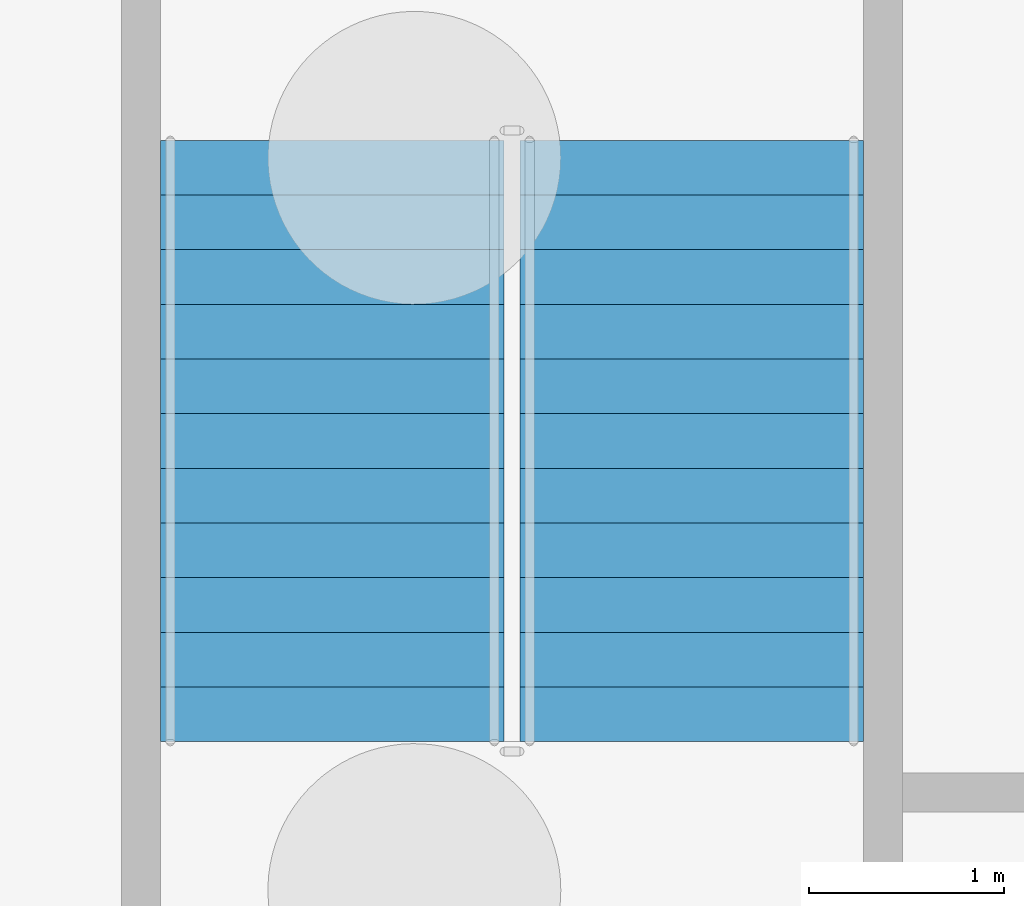
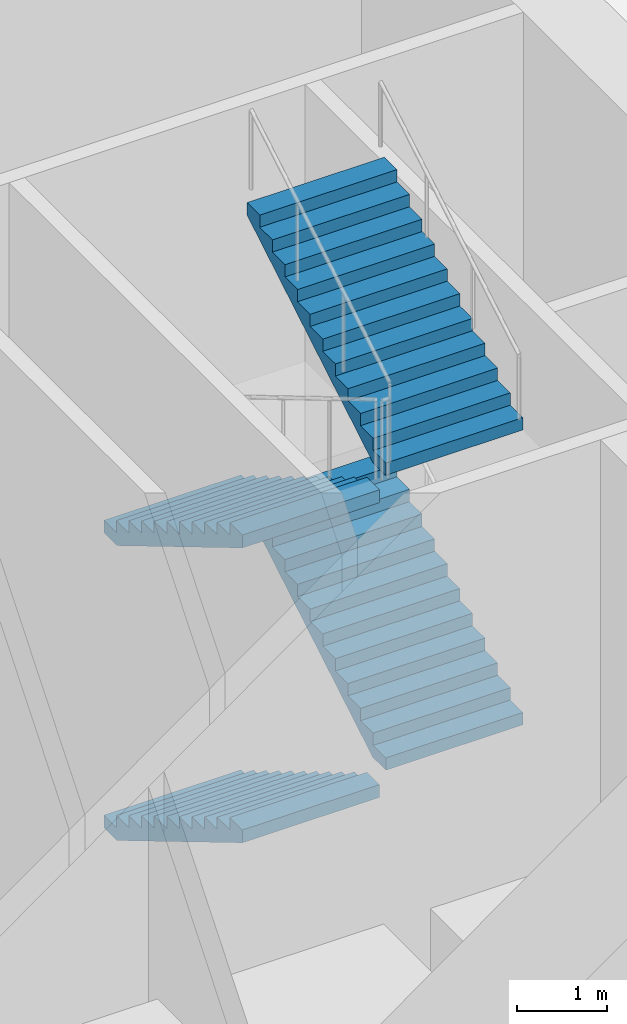
# One storey, part 22 of 34: 4 stair flights, 1 element without a shape of its own.
"""IFC4 building model written with IfcOpenShell, lengths in metres."""

from ifc_helpers import new_model, si_unit, direction, frame, origin, place, context, subcontext, project, spatial, faceted_brep, material, type_object, element, aggregate, save


model = new_model("IFC4")

# Units and contexts
model_context = context("Model", 3, precision=1e-05, world=origin(), true_north=direction((0.0, 1.0)))
body_context = subcontext(model_context, "Body", "Model", "MODEL_VIEW")
ifc_project = project(units=[si_unit("LENGTHUNIT", "METRE"), si_unit("AREAUNIT", "SQUARE_METRE"), si_unit("VOLUMEUNIT", "CUBIC_METRE"), si_unit("PLANEANGLEUNIT", "RADIAN"), si_unit("MASSUNIT", "GRAM", prefix="KILO")], contexts=[model_context])

# Site, building, storey
site_placement = place(None, origin())
site = spatial("IfcSite", under=ifc_project, at=site_placement, CompositionType="ELEMENT")
building_placement = place(site_placement, origin())
building = spatial("IfcBuilding", under=site, at=building_placement, Name="Tarsis Ring Headquarters", CompositionType="ELEMENT")
storey_placement = place(building_placement, origin())
storey = spatial("IfcBuildingStorey", under=building, at=storey_placement, Name="L00", CompositionType="ELEMENT", Elevation=0.0)

# Stair, stair flights
ifc_material_1 = material(Name="Core stair 1760")
stair_type = type_object("IfcStairType", Name="Core stair 1760", PredefinedType="HALF_TURN_STAIR", material=ifc_material_1)
stair_placement = place(storey_placement, origin())
stair = element("IfcStair", 1, at=stair_placement, inside=storey, type_object=stair_type, Name="L00 Exit stair D", PredefinedType="HALF_TURN_STAIR")
ifc_material_2 = material(Name="Concrete C40/50", Category="concrete")
stair_flight_type = type_object("IfcStairFlightType", Name="Core stair flight 1760", PredefinedType="STRAIGHT", material=ifc_material_2)
stair_flight_1_placement = place(storey_placement, frame((3.580078125, -3.659912109375, 0.0), z_axis=(0.0, 0.0, 1.0), x_axis=(0.0, -1.0, 0.0)))
stair_flight_1 = element("IfcStairFlight", 2, at=stair_flight_1_placement, type_object=stair_flight_type, Name="Stair ST4 flight 1", NumberOfRisers=12, NumberOfTreads=11, PredefinedType="STRAIGHT", RiserHeight=0.166666667, TreadLength=0.28, context=body_context, shape_type="Brep", body=[
    faceted_brep([(0.0, 0.8798828125, 0.0), (0.0, 0.8798828125, 0.166748046875), (0.280029296875, 0.8798828125, 0.166748046875), (0.280029296875, 0.8798828125, 0.333251953125), (0.56005859375, 0.8798828125, 0.333251953125), (0.56005859375, 0.8798828125, 0.5), (0.840087890625, 0.8798828125, 0.5), (0.840087890625, 0.8798828125, 0.666748046875), (1.1201171875, 0.8798828125, 0.666748046875), (1.1201171875, 0.8798828125, 0.833251953125), (1.39990234375, 0.8798828125, 0.833251953125), (1.39990234375, 0.8798828125, 1.0), (1.679931640625, 0.8798828125, 1.0), (1.679931640625, 0.8798828125, 1.166748046875), (1.9599609375, 0.8798828125, 1.166748046875), (1.9599609375, 0.8798828125, 1.333251953125), (2.239990234375, 0.8798828125, 1.333251953125), (2.239990234375, 0.8798828125, 1.5), (2.52001953125, 0.8798828125, 1.5), (2.52001953125, 0.8798828125, 1.666748046875), (2.800048828125, 0.8798828125, 1.666748046875), (2.800048828125, 0.8798828125, 1.833251953125), (3.080078125, 0.8798828125, 1.833251953125), (3.080078125, 0.8798828125, 1.658935546875), (0.29296875, 0.8798828125, 0.0), (0.29296875, -0.8798828125, 0.0), (3.080078125, -0.8798828125, 1.658935546875), (3.080078125, -0.8798828125, 1.833251953125), (2.800048828125, -0.8798828125, 1.833251953125), (2.800048828125, -0.8798828125, 1.666748046875), (2.52001953125, -0.8798828125, 1.666748046875), (2.52001953125, -0.8798828125, 1.5), (2.239990234375, -0.8798828125, 1.5), (2.239990234375, -0.8798828125, 1.333251953125), (1.9599609375, -0.8798828125, 1.333251953125), (1.9599609375, -0.8798828125, 1.166748046875), (1.679931640625, -0.8798828125, 1.166748046875), (1.679931640625, -0.8798828125, 1.0), (1.39990234375, -0.8798828125, 1.0), (1.39990234375, -0.8798828125, 0.833251953125), (1.1201171875, -0.8798828125, 0.833251953125), (1.1201171875, -0.8798828125, 0.666748046875), (0.840087890625, -0.8798828125, 0.666748046875), (0.840087890625, -0.8798828125, 0.5), (0.56005859375, -0.8798828125, 0.5), (0.56005859375, -0.8798828125, 0.333251953125), (0.280029296875, -0.8798828125, 0.333251953125), (0.280029296875, -0.8798828125, 0.166748046875), (0.0, -0.8798828125, 0.166748046875), (0.0, -0.8798828125, 0.0), (0.0, -0.43994140625, 0.166748046875), (0.0, -0.43994140625, 0.0), (0.0, 0.0, 0.166748046875), (0.0, 0.0, 0.0), (0.0, 0.43994140625, 0.166748046875), (0.0, 0.43994140625, 0.0), (0.280029296875, -0.43994140625, 0.166748046875), (0.280029296875, 0.0, 0.166748046875), (0.280029296875, 0.43994140625, 0.166748046875), (0.280029296875, -0.43994140625, 0.333251953125), (0.280029296875, 0.0, 0.333251953125), (0.280029296875, 0.43994140625, 0.333251953125), (0.56005859375, -0.43994140625, 0.333251953125), (0.56005859375, 0.0, 0.333251953125), (0.56005859375, 0.43994140625, 0.333251953125), (0.56005859375, -0.43994140625, 0.5), (0.56005859375, 0.0, 0.5), (0.56005859375, 0.43994140625, 0.5), (0.840087890625, -0.43994140625, 0.5), (0.840087890625, 0.0, 0.5), (0.840087890625, 0.43994140625, 0.5), (0.840087890625, -0.43994140625, 0.666748046875), (0.840087890625, 0.0, 0.666748046875), (0.840087890625, 0.43994140625, 0.666748046875), (1.1201171875, -0.43994140625, 0.666748046875), (1.1201171875, 0.0, 0.666748046875), (1.1201171875, 0.43994140625, 0.666748046875), (1.1201171875, -0.43994140625, 0.833251953125), (1.1201171875, 0.0, 0.833251953125), (1.1201171875, 0.43994140625, 0.833251953125), (1.39990234375, -0.43994140625, 0.833251953125), (1.39990234375, 0.0, 0.833251953125), (1.39990234375, 0.43994140625, 0.833251953125), (1.39990234375, -0.43994140625, 1.0), (1.39990234375, 0.0, 1.0), (1.39990234375, 0.43994140625, 1.0), (1.679931640625, -0.43994140625, 1.0), (1.679931640625, 0.0, 1.0), (1.679931640625, 0.43994140625, 1.0), (1.679931640625, -0.43994140625, 1.166748046875), (1.679931640625, 0.0, 1.166748046875), (1.679931640625, 0.43994140625, 1.166748046875), (1.9599609375, -0.43994140625, 1.166748046875), (1.9599609375, 0.0, 1.166748046875), (1.9599609375, 0.43994140625, 1.166748046875), (1.9599609375, -0.43994140625, 1.333251953125), (1.9599609375, 0.0, 1.333251953125), (1.9599609375, 0.43994140625, 1.333251953125), (2.239990234375, -0.43994140625, 1.333251953125), (2.239990234375, 0.0, 1.333251953125), (2.239990234375, 0.43994140625, 1.333251953125), (2.239990234375, -0.43994140625, 1.5), (2.239990234375, 0.0, 1.5), (2.239990234375, 0.43994140625, 1.5), (2.52001953125, -0.43994140625, 1.5), (2.52001953125, 0.0, 1.5), (2.52001953125, 0.43994140625, 1.5), (2.52001953125, -0.43994140625, 1.666748046875), (2.52001953125, 0.0, 1.666748046875), (2.52001953125, 0.43994140625, 1.666748046875), (2.800048828125, -0.43994140625, 1.666748046875), (2.800048828125, 0.0, 1.666748046875), (2.800048828125, 0.43994140625, 1.666748046875), (2.800048828125, -0.43994140625, 1.833251953125), (2.800048828125, 0.0, 1.833251953125), (2.800048828125, 0.43994140625, 1.833251953125), (3.080078125, -0.43994140625, 1.833251953125), (3.080078125, 0.0, 1.833251953125), (3.080078125, 0.43994140625, 1.833251953125), (3.080078125, -0.43994140625, 1.658935546875), (3.080078125, 0.0, 1.658935546875), (3.080078125, 0.43994140625, 1.658935546875), (0.29296875, -0.43994140625, 0.0), (0.29296875, 0.0, 0.0), (0.29296875, 0.43994140625, 0.0)], [[[0, 1, 2, 3, 4, 5, 6, 7, 8, 9, 10, 11, 12, 13, 14, 15, 16, 17, 18, 19, 20, 21, 22, 23, 24]], [[25, 26, 27, 28, 29, 30, 31, 32, 33, 34, 35, 36, 37, 38, 39, 40, 41, 42, 43, 44, 45, 46, 47, 48, 49]], [[49, 48, 50, 51]], [[51, 50, 52, 53]], [[53, 52, 54, 55]], [[55, 54, 1, 0]], [[48, 47, 56, 50]], [[50, 56, 57, 52]], [[52, 57, 58, 54]], [[54, 58, 2, 1]], [[47, 46, 59, 56]], [[56, 59, 60, 57]], [[57, 60, 61, 58]], [[58, 61, 3, 2]], [[46, 45, 62, 59]], [[59, 62, 63, 60]], [[60, 63, 64, 61]], [[61, 64, 4, 3]], [[45, 44, 65, 62]], [[62, 65, 66, 63]], [[63, 66, 67, 64]], [[64, 67, 5, 4]], [[44, 43, 68, 65]], [[65, 68, 69, 66]], [[66, 69, 70, 67]], [[67, 70, 6, 5]], [[43, 42, 71, 68]], [[68, 71, 72, 69]], [[69, 72, 73, 70]], [[70, 73, 7, 6]], [[42, 41, 74, 71]], [[71, 74, 75, 72]], [[72, 75, 76, 73]], [[73, 76, 8, 7]], [[41, 40, 77, 74]], [[74, 77, 78, 75]], [[75, 78, 79, 76]], [[76, 79, 9, 8]], [[40, 39, 80, 77]], [[77, 80, 81, 78]], [[78, 81, 82, 79]], [[79, 82, 10, 9]], [[39, 38, 83, 80]], [[80, 83, 84, 81]], [[81, 84, 85, 82]], [[82, 85, 11, 10]], [[38, 37, 86, 83]], [[83, 86, 87, 84]], [[84, 87, 88, 85]], [[85, 88, 12, 11]], [[37, 36, 89, 86]], [[86, 89, 90, 87]], [[87, 90, 91, 88]], [[88, 91, 13, 12]], [[36, 35, 92, 89]], [[89, 92, 93, 90]], [[90, 93, 94, 91]], [[91, 94, 14, 13]], [[35, 34, 95, 92]], [[92, 95, 96, 93]], [[93, 96, 97, 94]], [[94, 97, 15, 14]], [[34, 33, 98, 95]], [[95, 98, 99, 96]], [[96, 99, 100, 97]], [[97, 100, 16, 15]], [[33, 32, 101, 98]], [[98, 101, 102, 99]], [[99, 102, 103, 100]], [[100, 103, 17, 16]], [[32, 31, 104, 101]], [[101, 104, 105, 102]], [[102, 105, 106, 103]], [[103, 106, 18, 17]], [[31, 30, 107, 104]], [[104, 107, 108, 105]], [[105, 108, 109, 106]], [[106, 109, 19, 18]], [[30, 29, 110, 107]], [[107, 110, 111, 108]], [[108, 111, 112, 109]], [[109, 112, 20, 19]], [[29, 28, 113, 110]], [[110, 113, 114, 111]], [[111, 114, 115, 112]], [[112, 115, 21, 20]], [[28, 27, 116, 113]], [[113, 116, 117, 114]], [[114, 117, 118, 115]], [[115, 118, 22, 21]], [[27, 26, 119, 116]], [[116, 119, 120, 117]], [[117, 120, 121, 118]], [[118, 121, 23, 22]], [[26, 25, 122, 119]], [[119, 122, 123, 120]], [[120, 123, 124, 121]], [[121, 124, 24, 23]], [[25, 49, 51, 122]], [[122, 51, 53, 123]], [[123, 53, 55, 124]], [[124, 55, 0, 24]]]),
])
stair_flight_2_placement = place(storey_placement, frame((5.419921875, -6.739990234375, 2.0), z_axis=(0.0, 0.0, 1.0), x_axis=(0.0, 1.0, 0.0)))
stair_flight_2 = element("IfcStairFlight", 3, at=stair_flight_2_placement, type_object=stair_flight_type, Name="Stair ST4 flight 2", NumberOfRisers=12, NumberOfTreads=11, PredefinedType="STRAIGHT", RiserHeight=0.166666667, TreadLength=0.28, context=body_context, shape_type="Brep", body=[
    faceted_brep([(0.0, 0.8798828125, 0.0), (0.0, 0.8798828125, 0.166748046875), (0.280029296875, 0.8798828125, 0.166748046875), (0.280029296875, 0.8798828125, 0.333251953125), (0.56005859375, 0.8798828125, 0.333251953125), (0.56005859375, 0.8798828125, 0.5), (0.840087890625, 0.8798828125, 0.5), (0.840087890625, 0.8798828125, 0.666748046875), (1.1201171875, 0.8798828125, 0.666748046875), (1.1201171875, 0.8798828125, 0.833251953125), (1.39990234375, 0.8798828125, 0.833251953125), (1.39990234375, 0.8798828125, 1.0), (1.679931640625, 0.8798828125, 1.0), (1.679931640625, 0.8798828125, 1.166748046875), (1.9599609375, 0.8798828125, 1.166748046875), (1.9599609375, 0.8798828125, 1.333251953125), (2.239990234375, 0.8798828125, 1.333251953125), (2.239990234375, 0.8798828125, 1.5), (2.52001953125, 0.8798828125, 1.5), (2.52001953125, 0.8798828125, 1.666748046875), (2.800048828125, 0.8798828125, 1.666748046875), (2.800048828125, 0.8798828125, 1.833251953125), (3.080078125, 0.8798828125, 1.833251953125), (3.080078125, 0.8798828125, 1.658935546875), (0.29296875, 0.8798828125, 0.0), (0.29296875, -0.8798828125, 0.0), (3.080078125, -0.8798828125, 1.658935546875), (3.080078125, -0.8798828125, 1.833251953125), (2.800048828125, -0.8798828125, 1.833251953125), (2.800048828125, -0.8798828125, 1.666748046875), (2.52001953125, -0.8798828125, 1.666748046875), (2.52001953125, -0.8798828125, 1.5), (2.239990234375, -0.8798828125, 1.5), (2.239990234375, -0.8798828125, 1.333251953125), (1.9599609375, -0.8798828125, 1.333251953125), (1.9599609375, -0.8798828125, 1.166748046875), (1.679931640625, -0.8798828125, 1.166748046875), (1.679931640625, -0.8798828125, 1.0), (1.39990234375, -0.8798828125, 1.0), (1.39990234375, -0.8798828125, 0.833251953125), (1.1201171875, -0.8798828125, 0.833251953125), (1.1201171875, -0.8798828125, 0.666748046875), (0.840087890625, -0.8798828125, 0.666748046875), (0.840087890625, -0.8798828125, 0.5), (0.56005859375, -0.8798828125, 0.5), (0.56005859375, -0.8798828125, 0.333251953125), (0.280029296875, -0.8798828125, 0.333251953125), (0.280029296875, -0.8798828125, 0.166748046875), (0.0, -0.8798828125, 0.166748046875), (0.0, -0.8798828125, 0.0), (0.0, -0.43994140625, 0.166748046875), (0.0, -0.43994140625, 0.0), (0.0, 0.0, 0.166748046875), (0.0, 0.0, 0.0), (0.0, 0.43994140625, 0.166748046875), (0.0, 0.43994140625, 0.0), (0.280029296875, -0.43994140625, 0.166748046875), (0.280029296875, 0.0, 0.166748046875), (0.280029296875, 0.43994140625, 0.166748046875), (0.280029296875, -0.43994140625, 0.333251953125), (0.280029296875, 0.0, 0.333251953125), (0.280029296875, 0.43994140625, 0.333251953125), (0.56005859375, -0.43994140625, 0.333251953125), (0.56005859375, 0.0, 0.333251953125), (0.56005859375, 0.43994140625, 0.333251953125), (0.56005859375, -0.43994140625, 0.5), (0.56005859375, 0.0, 0.5), (0.56005859375, 0.43994140625, 0.5), (0.840087890625, -0.43994140625, 0.5), (0.840087890625, 0.0, 0.5), (0.840087890625, 0.43994140625, 0.5), (0.840087890625, -0.43994140625, 0.666748046875), (0.840087890625, 0.0, 0.666748046875), (0.840087890625, 0.43994140625, 0.666748046875), (1.1201171875, -0.43994140625, 0.666748046875), (1.1201171875, 0.0, 0.666748046875), (1.1201171875, 0.43994140625, 0.666748046875), (1.1201171875, -0.43994140625, 0.833251953125), (1.1201171875, 0.0, 0.833251953125), (1.1201171875, 0.43994140625, 0.833251953125), (1.39990234375, -0.43994140625, 0.833251953125), (1.39990234375, 0.0, 0.833251953125), (1.39990234375, 0.43994140625, 0.833251953125), (1.39990234375, -0.43994140625, 1.0), (1.39990234375, 0.0, 1.0), (1.39990234375, 0.43994140625, 1.0), (1.679931640625, -0.43994140625, 1.0), (1.679931640625, 0.0, 1.0), (1.679931640625, 0.43994140625, 1.0), (1.679931640625, -0.43994140625, 1.166748046875), (1.679931640625, 0.0, 1.166748046875), (1.679931640625, 0.43994140625, 1.166748046875), (1.9599609375, -0.43994140625, 1.166748046875), (1.9599609375, 0.0, 1.166748046875), (1.9599609375, 0.43994140625, 1.166748046875), (1.9599609375, -0.43994140625, 1.333251953125), (1.9599609375, 0.0, 1.333251953125), (1.9599609375, 0.43994140625, 1.333251953125), (2.239990234375, -0.43994140625, 1.333251953125), (2.239990234375, 0.0, 1.333251953125), (2.239990234375, 0.43994140625, 1.333251953125), (2.239990234375, -0.43994140625, 1.5), (2.239990234375, 0.0, 1.5), (2.239990234375, 0.43994140625, 1.5), (2.52001953125, -0.43994140625, 1.5), (2.52001953125, 0.0, 1.5), (2.52001953125, 0.43994140625, 1.5), (2.52001953125, -0.43994140625, 1.666748046875), (2.52001953125, 0.0, 1.666748046875), (2.52001953125, 0.43994140625, 1.666748046875), (2.800048828125, -0.43994140625, 1.666748046875), (2.800048828125, 0.0, 1.666748046875), (2.800048828125, 0.43994140625, 1.666748046875), (2.800048828125, -0.43994140625, 1.833251953125), (2.800048828125, 0.0, 1.833251953125), (2.800048828125, 0.43994140625, 1.833251953125), (3.080078125, -0.43994140625, 1.833251953125), (3.080078125, 0.0, 1.833251953125), (3.080078125, 0.43994140625, 1.833251953125), (3.080078125, -0.43994140625, 1.658935546875), (3.080078125, 0.0, 1.658935546875), (3.080078125, 0.43994140625, 1.658935546875), (0.29296875, -0.43994140625, 0.0), (0.29296875, 0.0, 0.0), (0.29296875, 0.43994140625, 0.0)], [[[0, 1, 2, 3, 4, 5, 6, 7, 8, 9, 10, 11, 12, 13, 14, 15, 16, 17, 18, 19, 20, 21, 22, 23, 24]], [[25, 26, 27, 28, 29, 30, 31, 32, 33, 34, 35, 36, 37, 38, 39, 40, 41, 42, 43, 44, 45, 46, 47, 48, 49]], [[49, 48, 50, 51]], [[51, 50, 52, 53]], [[53, 52, 54, 55]], [[55, 54, 1, 0]], [[48, 47, 56, 50]], [[50, 56, 57, 52]], [[52, 57, 58, 54]], [[54, 58, 2, 1]], [[47, 46, 59, 56]], [[56, 59, 60, 57]], [[57, 60, 61, 58]], [[58, 61, 3, 2]], [[46, 45, 62, 59]], [[59, 62, 63, 60]], [[60, 63, 64, 61]], [[61, 64, 4, 3]], [[45, 44, 65, 62]], [[62, 65, 66, 63]], [[63, 66, 67, 64]], [[64, 67, 5, 4]], [[44, 43, 68, 65]], [[65, 68, 69, 66]], [[66, 69, 70, 67]], [[67, 70, 6, 5]], [[43, 42, 71, 68]], [[68, 71, 72, 69]], [[69, 72, 73, 70]], [[70, 73, 7, 6]], [[42, 41, 74, 71]], [[71, 74, 75, 72]], [[72, 75, 76, 73]], [[73, 76, 8, 7]], [[41, 40, 77, 74]], [[74, 77, 78, 75]], [[75, 78, 79, 76]], [[76, 79, 9, 8]], [[40, 39, 80, 77]], [[77, 80, 81, 78]], [[78, 81, 82, 79]], [[79, 82, 10, 9]], [[39, 38, 83, 80]], [[80, 83, 84, 81]], [[81, 84, 85, 82]], [[82, 85, 11, 10]], [[38, 37, 86, 83]], [[83, 86, 87, 84]], [[84, 87, 88, 85]], [[85, 88, 12, 11]], [[37, 36, 89, 86]], [[86, 89, 90, 87]], [[87, 90, 91, 88]], [[88, 91, 13, 12]], [[36, 35, 92, 89]], [[89, 92, 93, 90]], [[90, 93, 94, 91]], [[91, 94, 14, 13]], [[35, 34, 95, 92]], [[92, 95, 96, 93]], [[93, 96, 97, 94]], [[94, 97, 15, 14]], [[34, 33, 98, 95]], [[95, 98, 99, 96]], [[96, 99, 100, 97]], [[97, 100, 16, 15]], [[33, 32, 101, 98]], [[98, 101, 102, 99]], [[99, 102, 103, 100]], [[100, 103, 17, 16]], [[32, 31, 104, 101]], [[101, 104, 105, 102]], [[102, 105, 106, 103]], [[103, 106, 18, 17]], [[31, 30, 107, 104]], [[104, 107, 108, 105]], [[105, 108, 109, 106]], [[106, 109, 19, 18]], [[30, 29, 110, 107]], [[107, 110, 111, 108]], [[108, 111, 112, 109]], [[109, 112, 20, 19]], [[29, 28, 113, 110]], [[110, 113, 114, 111]], [[111, 114, 115, 112]], [[112, 115, 21, 20]], [[28, 27, 116, 113]], [[113, 116, 117, 114]], [[114, 117, 118, 115]], [[115, 118, 22, 21]], [[27, 26, 119, 116]], [[116, 119, 120, 117]], [[117, 120, 121, 118]], [[118, 121, 23, 22]], [[26, 25, 122, 119]], [[119, 122, 123, 120]], [[120, 123, 124, 121]], [[121, 124, 24, 23]], [[25, 49, 51, 122]], [[122, 51, 53, 123]], [[123, 53, 55, 124]], [[124, 55, 0, 24]]]),
])
stair_flight_3_placement = place(storey_placement, frame((3.580078125, -3.659912109375, 4.0), z_axis=(0.0, 0.0, 1.0), x_axis=(0.0, -1.0, 0.0)))
stair_flight_3 = element("IfcStairFlight", 4, at=stair_flight_3_placement, type_object=stair_flight_type, Name="Stair ST4 flight 3", NumberOfRisers=12, NumberOfTreads=11, PredefinedType="STRAIGHT", RiserHeight=0.166666667, TreadLength=0.28, context=body_context, shape_type="Brep", body=[
    faceted_brep([(0.0, 0.8798828125, 0.0), (0.0, 0.8798828125, 0.166748046875), (0.280029296875, 0.8798828125, 0.166748046875), (0.280029296875, 0.8798828125, 0.333251953125), (0.56005859375, 0.8798828125, 0.333251953125), (0.56005859375, 0.8798828125, 0.5), (0.840087890625, 0.8798828125, 0.5), (0.840087890625, 0.8798828125, 0.666748046875), (1.1201171875, 0.8798828125, 0.666748046875), (1.1201171875, 0.8798828125, 0.833251953125), (1.39990234375, 0.8798828125, 0.833251953125), (1.39990234375, 0.8798828125, 1.0), (1.679931640625, 0.8798828125, 1.0), (1.679931640625, 0.8798828125, 1.166748046875), (1.9599609375, 0.8798828125, 1.166748046875), (1.9599609375, 0.8798828125, 1.333251953125), (2.239990234375, 0.8798828125, 1.333251953125), (2.239990234375, 0.8798828125, 1.5), (2.52001953125, 0.8798828125, 1.5), (2.52001953125, 0.8798828125, 1.666748046875), (2.800048828125, 0.8798828125, 1.666748046875), (2.800048828125, 0.8798828125, 1.833251953125), (3.080078125, 0.8798828125, 1.833251953125), (3.080078125, 0.8798828125, 1.658935546875), (0.29296875, 0.8798828125, 0.0), (0.29296875, -0.8798828125, 0.0), (3.080078125, -0.8798828125, 1.658935546875), (3.080078125, -0.8798828125, 1.833251953125), (2.800048828125, -0.8798828125, 1.833251953125), (2.800048828125, -0.8798828125, 1.666748046875), (2.52001953125, -0.8798828125, 1.666748046875), (2.52001953125, -0.8798828125, 1.5), (2.239990234375, -0.8798828125, 1.5), (2.239990234375, -0.8798828125, 1.333251953125), (1.9599609375, -0.8798828125, 1.333251953125), (1.9599609375, -0.8798828125, 1.166748046875), (1.679931640625, -0.8798828125, 1.166748046875), (1.679931640625, -0.8798828125, 1.0), (1.39990234375, -0.8798828125, 1.0), (1.39990234375, -0.8798828125, 0.833251953125), (1.1201171875, -0.8798828125, 0.833251953125), (1.1201171875, -0.8798828125, 0.666748046875), (0.840087890625, -0.8798828125, 0.666748046875), (0.840087890625, -0.8798828125, 0.5), (0.56005859375, -0.8798828125, 0.5), (0.56005859375, -0.8798828125, 0.333251953125), (0.280029296875, -0.8798828125, 0.333251953125), (0.280029296875, -0.8798828125, 0.166748046875), (0.0, -0.8798828125, 0.166748046875), (0.0, -0.8798828125, 0.0), (0.0, -0.43994140625, 0.166748046875), (0.0, -0.43994140625, 0.0), (0.0, 0.0, 0.166748046875), (0.0, 0.0, 0.0), (0.0, 0.43994140625, 0.166748046875), (0.0, 0.43994140625, 0.0), (0.280029296875, -0.43994140625, 0.166748046875), (0.280029296875, 0.0, 0.166748046875), (0.280029296875, 0.43994140625, 0.166748046875), (0.280029296875, -0.43994140625, 0.333251953125), (0.280029296875, 0.0, 0.333251953125), (0.280029296875, 0.43994140625, 0.333251953125), (0.56005859375, -0.43994140625, 0.333251953125), (0.56005859375, 0.0, 0.333251953125), (0.56005859375, 0.43994140625, 0.333251953125), (0.56005859375, -0.43994140625, 0.5), (0.56005859375, 0.0, 0.5), (0.56005859375, 0.43994140625, 0.5), (0.840087890625, -0.43994140625, 0.5), (0.840087890625, 0.0, 0.5), (0.840087890625, 0.43994140625, 0.5), (0.840087890625, -0.43994140625, 0.666748046875), (0.840087890625, 0.0, 0.666748046875), (0.840087890625, 0.43994140625, 0.666748046875), (1.1201171875, -0.43994140625, 0.666748046875), (1.1201171875, 0.0, 0.666748046875), (1.1201171875, 0.43994140625, 0.666748046875), (1.1201171875, -0.43994140625, 0.833251953125), (1.1201171875, 0.0, 0.833251953125), (1.1201171875, 0.43994140625, 0.833251953125), (1.39990234375, -0.43994140625, 0.833251953125), (1.39990234375, 0.0, 0.833251953125), (1.39990234375, 0.43994140625, 0.833251953125), (1.39990234375, -0.43994140625, 1.0), (1.39990234375, 0.0, 1.0), (1.39990234375, 0.43994140625, 1.0), (1.679931640625, -0.43994140625, 1.0), (1.679931640625, 0.0, 1.0), (1.679931640625, 0.43994140625, 1.0), (1.679931640625, -0.43994140625, 1.166748046875), (1.679931640625, 0.0, 1.166748046875), (1.679931640625, 0.43994140625, 1.166748046875), (1.9599609375, -0.43994140625, 1.166748046875), (1.9599609375, 0.0, 1.166748046875), (1.9599609375, 0.43994140625, 1.166748046875), (1.9599609375, -0.43994140625, 1.333251953125), (1.9599609375, 0.0, 1.333251953125), (1.9599609375, 0.43994140625, 1.333251953125), (2.239990234375, -0.43994140625, 1.333251953125), (2.239990234375, 0.0, 1.333251953125), (2.239990234375, 0.43994140625, 1.333251953125), (2.239990234375, -0.43994140625, 1.5), (2.239990234375, 0.0, 1.5), (2.239990234375, 0.43994140625, 1.5), (2.52001953125, -0.43994140625, 1.5), (2.52001953125, 0.0, 1.5), (2.52001953125, 0.43994140625, 1.5), (2.52001953125, -0.43994140625, 1.666748046875), (2.52001953125, 0.0, 1.666748046875), (2.52001953125, 0.43994140625, 1.666748046875), (2.800048828125, -0.43994140625, 1.666748046875), (2.800048828125, 0.0, 1.666748046875), (2.800048828125, 0.43994140625, 1.666748046875), (2.800048828125, -0.43994140625, 1.833251953125), (2.800048828125, 0.0, 1.833251953125), (2.800048828125, 0.43994140625, 1.833251953125), (3.080078125, -0.43994140625, 1.833251953125), (3.080078125, 0.0, 1.833251953125), (3.080078125, 0.43994140625, 1.833251953125), (3.080078125, -0.43994140625, 1.658935546875), (3.080078125, 0.0, 1.658935546875), (3.080078125, 0.43994140625, 1.658935546875), (0.29296875, -0.43994140625, 0.0), (0.29296875, 0.0, 0.0), (0.29296875, 0.43994140625, 0.0)], [[[0, 1, 2, 3, 4, 5, 6, 7, 8, 9, 10, 11, 12, 13, 14, 15, 16, 17, 18, 19, 20, 21, 22, 23, 24]], [[25, 26, 27, 28, 29, 30, 31, 32, 33, 34, 35, 36, 37, 38, 39, 40, 41, 42, 43, 44, 45, 46, 47, 48, 49]], [[49, 48, 50, 51]], [[51, 50, 52, 53]], [[53, 52, 54, 55]], [[55, 54, 1, 0]], [[48, 47, 56, 50]], [[50, 56, 57, 52]], [[52, 57, 58, 54]], [[54, 58, 2, 1]], [[47, 46, 59, 56]], [[56, 59, 60, 57]], [[57, 60, 61, 58]], [[58, 61, 3, 2]], [[46, 45, 62, 59]], [[59, 62, 63, 60]], [[60, 63, 64, 61]], [[61, 64, 4, 3]], [[45, 44, 65, 62]], [[62, 65, 66, 63]], [[63, 66, 67, 64]], [[64, 67, 5, 4]], [[44, 43, 68, 65]], [[65, 68, 69, 66]], [[66, 69, 70, 67]], [[67, 70, 6, 5]], [[43, 42, 71, 68]], [[68, 71, 72, 69]], [[69, 72, 73, 70]], [[70, 73, 7, 6]], [[42, 41, 74, 71]], [[71, 74, 75, 72]], [[72, 75, 76, 73]], [[73, 76, 8, 7]], [[41, 40, 77, 74]], [[74, 77, 78, 75]], [[75, 78, 79, 76]], [[76, 79, 9, 8]], [[40, 39, 80, 77]], [[77, 80, 81, 78]], [[78, 81, 82, 79]], [[79, 82, 10, 9]], [[39, 38, 83, 80]], [[80, 83, 84, 81]], [[81, 84, 85, 82]], [[82, 85, 11, 10]], [[38, 37, 86, 83]], [[83, 86, 87, 84]], [[84, 87, 88, 85]], [[85, 88, 12, 11]], [[37, 36, 89, 86]], [[86, 89, 90, 87]], [[87, 90, 91, 88]], [[88, 91, 13, 12]], [[36, 35, 92, 89]], [[89, 92, 93, 90]], [[90, 93, 94, 91]], [[91, 94, 14, 13]], [[35, 34, 95, 92]], [[92, 95, 96, 93]], [[93, 96, 97, 94]], [[94, 97, 15, 14]], [[34, 33, 98, 95]], [[95, 98, 99, 96]], [[96, 99, 100, 97]], [[97, 100, 16, 15]], [[33, 32, 101, 98]], [[98, 101, 102, 99]], [[99, 102, 103, 100]], [[100, 103, 17, 16]], [[32, 31, 104, 101]], [[101, 104, 105, 102]], [[102, 105, 106, 103]], [[103, 106, 18, 17]], [[31, 30, 107, 104]], [[104, 107, 108, 105]], [[105, 108, 109, 106]], [[106, 109, 19, 18]], [[30, 29, 110, 107]], [[107, 110, 111, 108]], [[108, 111, 112, 109]], [[109, 112, 20, 19]], [[29, 28, 113, 110]], [[110, 113, 114, 111]], [[111, 114, 115, 112]], [[112, 115, 21, 20]], [[28, 27, 116, 113]], [[113, 116, 117, 114]], [[114, 117, 118, 115]], [[115, 118, 22, 21]], [[27, 26, 119, 116]], [[116, 119, 120, 117]], [[117, 120, 121, 118]], [[118, 121, 23, 22]], [[26, 25, 122, 119]], [[119, 122, 123, 120]], [[120, 123, 124, 121]], [[121, 124, 24, 23]], [[25, 49, 51, 122]], [[122, 51, 53, 123]], [[123, 53, 55, 124]], [[124, 55, 0, 24]]]),
])
stair_flight_4_placement = place(storey_placement, frame((5.419921875, -6.739990234375, 6.0), z_axis=(0.0, 0.0, 1.0), x_axis=(0.0, 1.0, 0.0)))
stair_flight_4 = element("IfcStairFlight", 5, at=stair_flight_4_placement, type_object=stair_flight_type, Name="Stair ST4 flight 4", NumberOfRisers=12, NumberOfTreads=11, PredefinedType="STRAIGHT", RiserHeight=0.166666667, TreadLength=0.28, context=body_context, shape_type="Brep", body=[
    faceted_brep([(0.0, 0.8798828125, 0.0), (0.0, 0.8798828125, 0.166748046875), (0.280029296875, 0.8798828125, 0.166748046875), (0.280029296875, 0.8798828125, 0.333251953125), (0.56005859375, 0.8798828125, 0.333251953125), (0.56005859375, 0.8798828125, 0.5), (0.840087890625, 0.8798828125, 0.5), (0.840087890625, 0.8798828125, 0.666748046875), (1.1201171875, 0.8798828125, 0.666748046875), (1.1201171875, 0.8798828125, 0.833251953125), (1.39990234375, 0.8798828125, 0.833251953125), (1.39990234375, 0.8798828125, 1.0), (1.679931640625, 0.8798828125, 1.0), (1.679931640625, 0.8798828125, 1.166748046875), (1.9599609375, 0.8798828125, 1.166748046875), (1.9599609375, 0.8798828125, 1.333251953125), (2.239990234375, 0.8798828125, 1.333251953125), (2.239990234375, 0.8798828125, 1.5), (2.52001953125, 0.8798828125, 1.5), (2.52001953125, 0.8798828125, 1.666748046875), (2.800048828125, 0.8798828125, 1.666748046875), (2.800048828125, 0.8798828125, 1.833251953125), (3.080078125, 0.8798828125, 1.833251953125), (3.080078125, 0.8798828125, 1.658935546875), (0.29296875, 0.8798828125, 0.0), (0.29296875, -0.8798828125, 0.0), (3.080078125, -0.8798828125, 1.658935546875), (3.080078125, -0.8798828125, 1.833251953125), (2.800048828125, -0.8798828125, 1.833251953125), (2.800048828125, -0.8798828125, 1.666748046875), (2.52001953125, -0.8798828125, 1.666748046875), (2.52001953125, -0.8798828125, 1.5), (2.239990234375, -0.8798828125, 1.5), (2.239990234375, -0.8798828125, 1.333251953125), (1.9599609375, -0.8798828125, 1.333251953125), (1.9599609375, -0.8798828125, 1.166748046875), (1.679931640625, -0.8798828125, 1.166748046875), (1.679931640625, -0.8798828125, 1.0), (1.39990234375, -0.8798828125, 1.0), (1.39990234375, -0.8798828125, 0.833251953125), (1.1201171875, -0.8798828125, 0.833251953125), (1.1201171875, -0.8798828125, 0.666748046875), (0.840087890625, -0.8798828125, 0.666748046875), (0.840087890625, -0.8798828125, 0.5), (0.56005859375, -0.8798828125, 0.5), (0.56005859375, -0.8798828125, 0.333251953125), (0.280029296875, -0.8798828125, 0.333251953125), (0.280029296875, -0.8798828125, 0.166748046875), (0.0, -0.8798828125, 0.166748046875), (0.0, -0.8798828125, 0.0), (0.0, -0.43994140625, 0.166748046875), (0.0, -0.43994140625, 0.0), (0.0, 0.0, 0.166748046875), (0.0, 0.0, 0.0), (0.0, 0.43994140625, 0.166748046875), (0.0, 0.43994140625, 0.0), (0.280029296875, -0.43994140625, 0.166748046875), (0.280029296875, 0.0, 0.166748046875), (0.280029296875, 0.43994140625, 0.166748046875), (0.280029296875, -0.43994140625, 0.333251953125), (0.280029296875, 0.0, 0.333251953125), (0.280029296875, 0.43994140625, 0.333251953125), (0.56005859375, -0.43994140625, 0.333251953125), (0.56005859375, 0.0, 0.333251953125), (0.56005859375, 0.43994140625, 0.333251953125), (0.56005859375, -0.43994140625, 0.5), (0.56005859375, 0.0, 0.5), (0.56005859375, 0.43994140625, 0.5), (0.840087890625, -0.43994140625, 0.5), (0.840087890625, 0.0, 0.5), (0.840087890625, 0.43994140625, 0.5), (0.840087890625, -0.43994140625, 0.666748046875), (0.840087890625, 0.0, 0.666748046875), (0.840087890625, 0.43994140625, 0.666748046875), (1.1201171875, -0.43994140625, 0.666748046875), (1.1201171875, 0.0, 0.666748046875), (1.1201171875, 0.43994140625, 0.666748046875), (1.1201171875, -0.43994140625, 0.833251953125), (1.1201171875, 0.0, 0.833251953125), (1.1201171875, 0.43994140625, 0.833251953125), (1.39990234375, -0.43994140625, 0.833251953125), (1.39990234375, 0.0, 0.833251953125), (1.39990234375, 0.43994140625, 0.833251953125), (1.39990234375, -0.43994140625, 1.0), (1.39990234375, 0.0, 1.0), (1.39990234375, 0.43994140625, 1.0), (1.679931640625, -0.43994140625, 1.0), (1.679931640625, 0.0, 1.0), (1.679931640625, 0.43994140625, 1.0), (1.679931640625, -0.43994140625, 1.166748046875), (1.679931640625, 0.0, 1.166748046875), (1.679931640625, 0.43994140625, 1.166748046875), (1.9599609375, -0.43994140625, 1.166748046875), (1.9599609375, 0.0, 1.166748046875), (1.9599609375, 0.43994140625, 1.166748046875), (1.9599609375, -0.43994140625, 1.333251953125), (1.9599609375, 0.0, 1.333251953125), (1.9599609375, 0.43994140625, 1.333251953125), (2.239990234375, -0.43994140625, 1.333251953125), (2.239990234375, 0.0, 1.333251953125), (2.239990234375, 0.43994140625, 1.333251953125), (2.239990234375, -0.43994140625, 1.5), (2.239990234375, 0.0, 1.5), (2.239990234375, 0.43994140625, 1.5), (2.52001953125, -0.43994140625, 1.5), (2.52001953125, 0.0, 1.5), (2.52001953125, 0.43994140625, 1.5), (2.52001953125, -0.43994140625, 1.666748046875), (2.52001953125, 0.0, 1.666748046875), (2.52001953125, 0.43994140625, 1.666748046875), (2.800048828125, -0.43994140625, 1.666748046875), (2.800048828125, 0.0, 1.666748046875), (2.800048828125, 0.43994140625, 1.666748046875), (2.800048828125, -0.43994140625, 1.833251953125), (2.800048828125, 0.0, 1.833251953125), (2.800048828125, 0.43994140625, 1.833251953125), (3.080078125, -0.43994140625, 1.833251953125), (3.080078125, 0.0, 1.833251953125), (3.080078125, 0.43994140625, 1.833251953125), (3.080078125, -0.43994140625, 1.658935546875), (3.080078125, 0.0, 1.658935546875), (3.080078125, 0.43994140625, 1.658935546875), (0.29296875, -0.43994140625, 0.0), (0.29296875, 0.0, 0.0), (0.29296875, 0.43994140625, 0.0)], [[[0, 1, 2, 3, 4, 5, 6, 7, 8, 9, 10, 11, 12, 13, 14, 15, 16, 17, 18, 19, 20, 21, 22, 23, 24]], [[25, 26, 27, 28, 29, 30, 31, 32, 33, 34, 35, 36, 37, 38, 39, 40, 41, 42, 43, 44, 45, 46, 47, 48, 49]], [[49, 48, 50, 51]], [[51, 50, 52, 53]], [[53, 52, 54, 55]], [[55, 54, 1, 0]], [[48, 47, 56, 50]], [[50, 56, 57, 52]], [[52, 57, 58, 54]], [[54, 58, 2, 1]], [[47, 46, 59, 56]], [[56, 59, 60, 57]], [[57, 60, 61, 58]], [[58, 61, 3, 2]], [[46, 45, 62, 59]], [[59, 62, 63, 60]], [[60, 63, 64, 61]], [[61, 64, 4, 3]], [[45, 44, 65, 62]], [[62, 65, 66, 63]], [[63, 66, 67, 64]], [[64, 67, 5, 4]], [[44, 43, 68, 65]], [[65, 68, 69, 66]], [[66, 69, 70, 67]], [[67, 70, 6, 5]], [[43, 42, 71, 68]], [[68, 71, 72, 69]], [[69, 72, 73, 70]], [[70, 73, 7, 6]], [[42, 41, 74, 71]], [[71, 74, 75, 72]], [[72, 75, 76, 73]], [[73, 76, 8, 7]], [[41, 40, 77, 74]], [[74, 77, 78, 75]], [[75, 78, 79, 76]], [[76, 79, 9, 8]], [[40, 39, 80, 77]], [[77, 80, 81, 78]], [[78, 81, 82, 79]], [[79, 82, 10, 9]], [[39, 38, 83, 80]], [[80, 83, 84, 81]], [[81, 84, 85, 82]], [[82, 85, 11, 10]], [[38, 37, 86, 83]], [[83, 86, 87, 84]], [[84, 87, 88, 85]], [[85, 88, 12, 11]], [[37, 36, 89, 86]], [[86, 89, 90, 87]], [[87, 90, 91, 88]], [[88, 91, 13, 12]], [[36, 35, 92, 89]], [[89, 92, 93, 90]], [[90, 93, 94, 91]], [[91, 94, 14, 13]], [[35, 34, 95, 92]], [[92, 95, 96, 93]], [[93, 96, 97, 94]], [[94, 97, 15, 14]], [[34, 33, 98, 95]], [[95, 98, 99, 96]], [[96, 99, 100, 97]], [[97, 100, 16, 15]], [[33, 32, 101, 98]], [[98, 101, 102, 99]], [[99, 102, 103, 100]], [[100, 103, 17, 16]], [[32, 31, 104, 101]], [[101, 104, 105, 102]], [[102, 105, 106, 103]], [[103, 106, 18, 17]], [[31, 30, 107, 104]], [[104, 107, 108, 105]], [[105, 108, 109, 106]], [[106, 109, 19, 18]], [[30, 29, 110, 107]], [[107, 110, 111, 108]], [[108, 111, 112, 109]], [[109, 112, 20, 19]], [[29, 28, 113, 110]], [[110, 113, 114, 111]], [[111, 114, 115, 112]], [[112, 115, 21, 20]], [[28, 27, 116, 113]], [[113, 116, 117, 114]], [[114, 117, 118, 115]], [[115, 118, 22, 21]], [[27, 26, 119, 116]], [[116, 119, 120, 117]], [[117, 120, 121, 118]], [[118, 121, 23, 22]], [[26, 25, 122, 119]], [[119, 122, 123, 120]], [[120, 123, 124, 121]], [[121, 124, 24, 23]], [[25, 49, 51, 122]], [[122, 51, 53, 123]], [[123, 53, 55, 124]], [[124, 55, 0, 24]]]),
])
aggregate(stair, [stair_flight_1, stair_flight_2, stair_flight_3, stair_flight_4])

save(model, "model.ifc")
